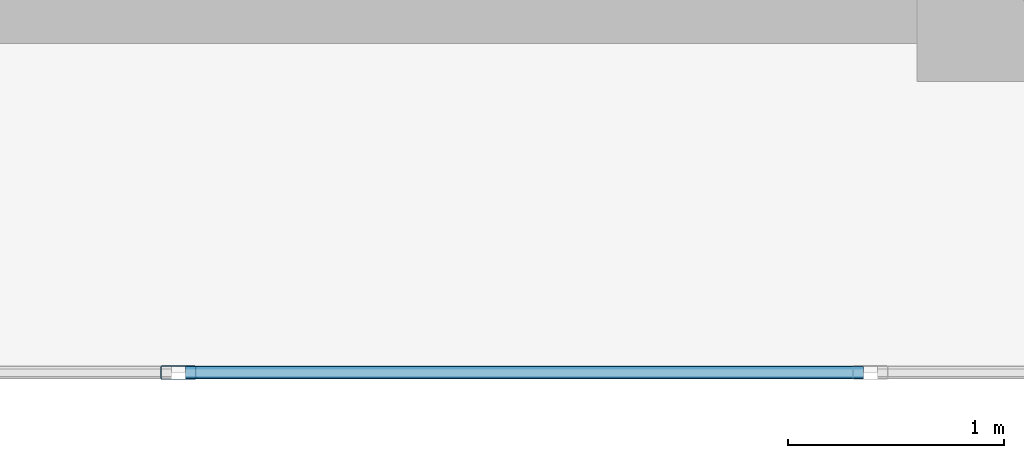
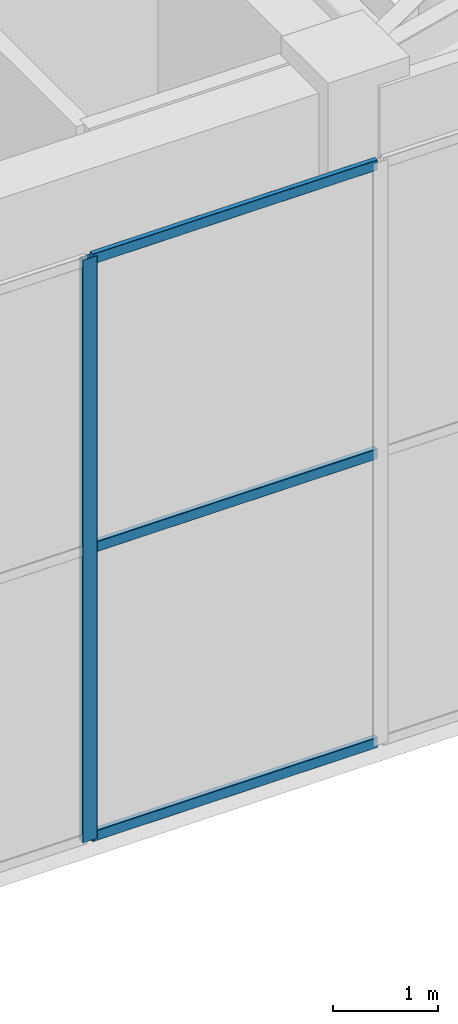
# One storey, part 4 of 23: 4 members, 1 element without a shape of its own.
"""IFC4 building model written with IfcOpenShell, lengths in metres."""

from ifc_helpers import new_model, si_unit, direction, frame, origin, origin_2d, place, context, subcontext, project, spatial, hollow_rectangle, extrude, material, layer, layer_set, material_profile, profile_set, type_object, element, aggregate, save


model = new_model("IFC4")

# Units and contexts
model_context = context("Model", 3, precision=1e-05, world=origin(), true_north=direction((0.0, 1.0)))
body_context = subcontext(model_context, "Body", "Model", "MODEL_VIEW")
ifc_project = project(units=[si_unit("LENGTHUNIT", "METRE"), si_unit("AREAUNIT", "SQUARE_METRE"), si_unit("VOLUMEUNIT", "CUBIC_METRE"), si_unit("PLANEANGLEUNIT", "RADIAN"), si_unit("MASSUNIT", "GRAM", prefix="KILO")], contexts=[model_context])

# Site, building, storey
site_placement = place(None, origin())
site = spatial("IfcSite", under=ifc_project, at=site_placement, CompositionType="ELEMENT")
building_placement = place(site_placement, origin())
building = spatial("IfcBuilding", under=site, at=building_placement, Name="An Khanh Terracotta Commons", CompositionType="ELEMENT")
storey_placement = place(building_placement, frame((0.0, 0.0, 322.0)))
storey = spatial("IfcBuildingStorey", under=building, at=storey_placement, Name="L81 Crown Heat-Recovery Plant", CompositionType="ELEMENT", Elevation=322.0)

# Curtain wall, members
ifc_material = material(Name="Anodised Aluminium 6063-T6", Category="aluminium")
ifc_layer = layer(ifc_material, 0.18994140625, Name="Anodised Aluminium 6063-T6")
ifc_layer_set = layer_set([ifc_layer], Name="Anodised Aluminium 6063-T6")
curtain_wall_type = type_object("IfcCurtainWallType", Name="CW-SYS-06", PredefinedType="USERDEFINED", material=ifc_layer_set)
curtain_wall_placement = place(storey_placement, origin())
curtain_wall = element("IfcCurtainWall", 1, at=curtain_wall_placement, inside=storey, type_object=curtain_wall_type, Name="L81 Crown Heat-Recovery Plant CW-06 Unitised Curtain Wall CW-L81-04", ObjectType="UNITISED CURTAIN WALL", PredefinedType="USERDEFINED")
ifc_material_profile_1 = material_profile(ifc_material, hollow_rectangle(XDim=0.06494140625, YDim=0.1650390625, WallThickness=0.00390625, InnerFilletRadius=0.00390625, OuterFilletRadius=0.008056640625, at=origin_2d()), Name="RHS165x65x4")
ifc_profile_set_1 = profile_set([ifc_material_profile_1], Name="Anodised Aluminium 6063-T6")
member_type_1 = type_object("IfcMemberType", Name="CWM-RHS165x65x4", PredefinedType="MULLION", material=ifc_profile_set_1)
member_1_placement = place(storey_placement, frame((33.3251953125, 12.60009765625, 0.0), z_axis=(0.0, 0.0, 1.0), x_axis=(0.0, 1.0, 0.0)))
member_1 = element("IfcMember", 2, at=member_1_placement, type_object=member_type_1, Name="CW-06 mullion 4", PredefinedType="MULLION", context=body_context, shape_type="SweptSolid", body=[
    extrude(hollow_rectangle(XDim=0.06494140625, YDim=0.1650390625, WallThickness=0.00390625, InnerFilletRadius=0.00390625, OuterFilletRadius=0.008056640625, at=origin_2d()), origin(), (0.0, 0.0, 1.0), 6.800048828125),
])
ifc_material_profile_2 = material_profile(ifc_material, hollow_rectangle(XDim=0.06005859375, YDim=0.1201171875, WallThickness=0.003662109375, InnerFilletRadius=0.003662109375, OuterFilletRadius=0.007080078125, at=origin_2d()), Name="RHS120x60x3.6")
ifc_profile_set_2 = profile_set([ifc_material_profile_2], Name="Anodised Aluminium 6063-T6")
member_type_2 = type_object("IfcMemberType", Name="CWT-RHS120x60x3.6", PredefinedType="USERDEFINED", material=ifc_profile_set_2)
member_2_placement = place(storey_placement, frame((33.357666015625, 12.60009765625, 0.030029296875), z_axis=(1.0, 0.0, 0.0), x_axis=(0.0, 1.0, 0.0)))
member_2 = element("IfcMember", 3, at=member_2_placement, type_object=member_type_2, Name="CW-06 transom 4.1", ObjectType="TRANSOM", PredefinedType="USERDEFINED", context=body_context, shape_type="SweptSolid", body=[
    extrude(hollow_rectangle(XDim=0.06005859375, YDim=0.1201171875, WallThickness=0.003662109375, InnerFilletRadius=0.003662109375, OuterFilletRadius=0.007080078125, at=origin_2d()), origin(), (0.0, 0.0, 1.0), 3.143310546875),
])
member_3_placement = place(storey_placement, frame((33.357666015625, 12.60009765625, 3.39990234375), z_axis=(1.0, 0.0, 0.0), x_axis=(0.0, 1.0, 0.0)))
member_3 = element("IfcMember", 4, at=member_3_placement, type_object=member_type_2, Name="CW-06 transom 4.2", ObjectType="TRANSOM", PredefinedType="USERDEFINED", context=body_context, shape_type="SweptSolid", body=[
    extrude(hollow_rectangle(XDim=0.06005859375, YDim=0.1201171875, WallThickness=0.003662109375, InnerFilletRadius=0.003662109375, OuterFilletRadius=0.007080078125, at=origin_2d()), origin(), (0.0, 0.0, 1.0), 3.143310546875),
])
member_4_placement = place(storey_placement, frame((33.357666015625, 12.60009765625, 6.77001953125), z_axis=(1.0, 0.0, 0.0), x_axis=(0.0, 1.0, 0.0)))
member_4 = element("IfcMember", 5, at=member_4_placement, type_object=member_type_2, Name="CW-06 transom 4.3", ObjectType="TRANSOM", PredefinedType="USERDEFINED", context=body_context, shape_type="SweptSolid", body=[
    extrude(hollow_rectangle(XDim=0.06005859375, YDim=0.1201171875, WallThickness=0.003662109375, InnerFilletRadius=0.003662109375, OuterFilletRadius=0.007080078125, at=origin_2d()), origin(), (0.0, 0.0, 1.0), 3.143310546875),
])
aggregate(curtain_wall, [member_1, member_2, member_3, member_4])

save(model, "model.ifc")
